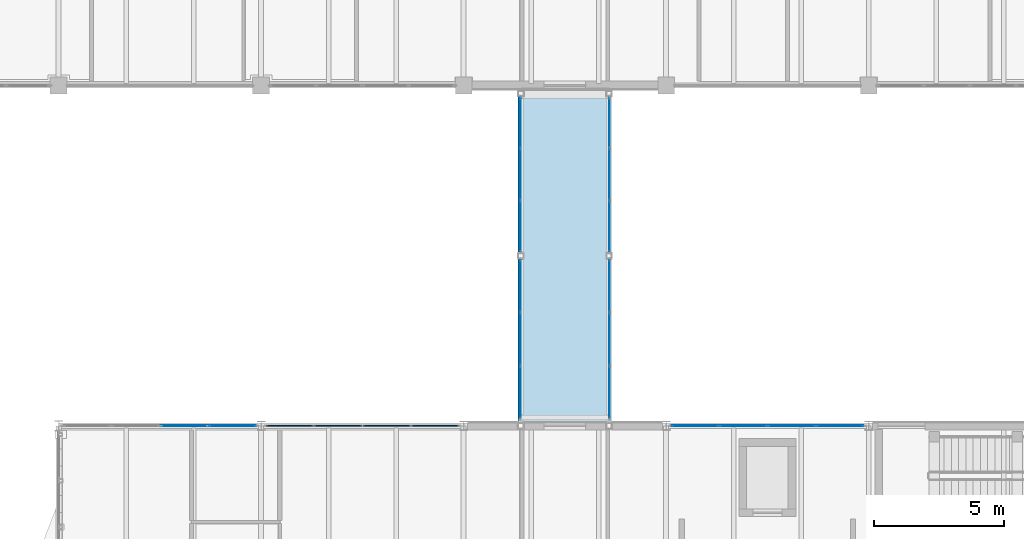
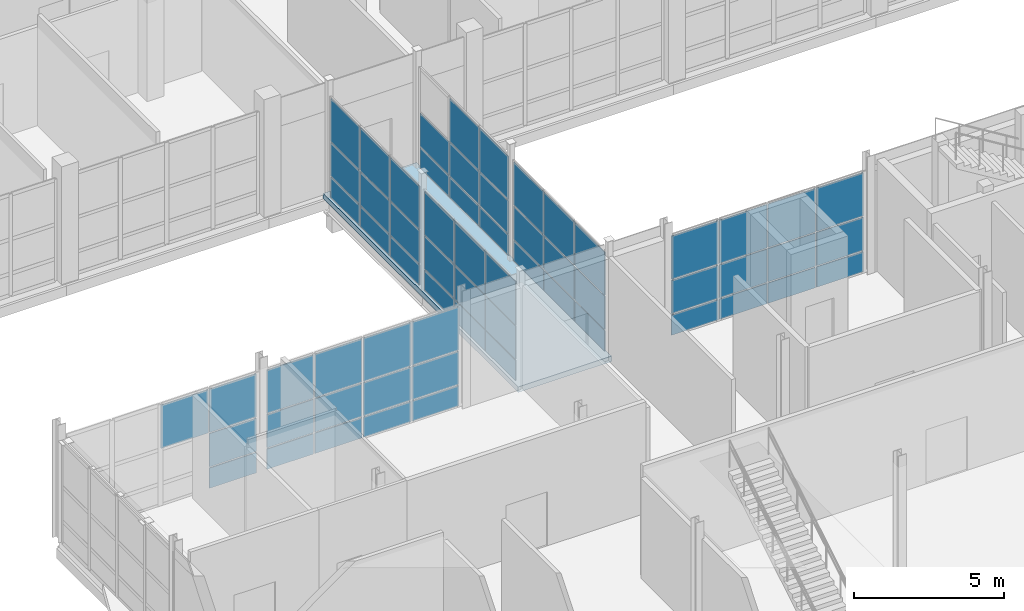
# One storey, part 82 of 131: 63 plates, 1 slab, 7 elements without a shape of their own.
"""IFC4 building model written with IfcOpenShell, lengths in metres."""

from ifc_helpers import new_model, si_unit, direction, frame, origin, origin_2d, place, context, subcontext, project, spatial, polyline, rectangle, outline, extrude, material, layer, layer_set, type_object, element, aggregate, save


model = new_model("IFC4")

# Units and contexts
model_context = context("Model", 3, precision=1e-05, world=origin(), true_north=direction((0.0, 1.0)))
body_context = subcontext(model_context, "Body", "Model", "MODEL_VIEW")
ifc_project = project(units=[si_unit("LENGTHUNIT", "METRE"), si_unit("AREAUNIT", "SQUARE_METRE"), si_unit("VOLUMEUNIT", "CUBIC_METRE"), si_unit("PLANEANGLEUNIT", "RADIAN"), si_unit("MASSUNIT", "GRAM", prefix="KILO")], contexts=[model_context])

# Site, building, storey
site_placement = place(None, origin())
site = spatial("IfcSite", under=ifc_project, at=site_placement, CompositionType="ELEMENT")
building_placement = place(site_placement, origin())
building = spatial("IfcBuilding", under=site, at=building_placement, Name="Celorna Specialist Clinic", CompositionType="ELEMENT")
storey_placement = place(building_placement, origin())
storey = spatial("IfcBuildingStorey", under=building, at=storey_placement, Name="L00", CompositionType="ELEMENT", Elevation=0.0)

# Curtain wall, plates
ifc_material_1 = material(Name="Thermally broken aluminium and solar-control glass curtain wall", Category="aluminium")
ifc_layer_1 = layer(ifc_material_1, 0.159912109375, Name="Thermally broken aluminium and solar-control glass curtain wall")
ifc_layer_set_1 = layer_set([ifc_layer_1], Name="Thermally broken aluminium and solar-control glass curtain wall")
curtain_wall_type_1 = type_object("IfcCurtainWallType", Name="CW-116", PredefinedType="NOTDEFINED", material=ifc_layer_set_1)
curtain_wall_1_placement = place(storey_placement, origin())
curtain_wall_1 = element("IfcCurtainWall", 1, at=curtain_wall_1_placement, inside=storey, type_object=curtain_wall_type_1, Name="Curtain wall CW-116 #216", PredefinedType="NOTDEFINED")
ifc_material_2 = material(Name="Low-e double glazing", Category="glass")
ifc_layer_2 = layer(ifc_material_2, 0.028076171875, Name="Low-e double glazing")
ifc_layer_set_2 = layer_set([ifc_layer_2], Name="Low-e double glazing")
plate_type_1 = type_object("IfcPlateType", Name="CPN-01", PredefinedType="CURTAIN_PANEL", material=ifc_layer_set_2)
plate_1_placement = place(storey_placement, frame((142.580078125, 84.6923828125, 0.0498046875), z_axis=(0.0, 0.0, 1.0), x_axis=(0.0, 1.0, 0.0)))
plate_1 = element("IfcPlate", 2, at=plate_1_placement, type_object=plate_type_1, Name="CW-116 panel 1.1", PredefinedType="CURTAIN_PANEL", context=body_context, shape_type="SweptSolid", body=[
    extrude(rectangle(XDim=1.985107421875, YDim=0.028076171875, at=origin_2d()), origin(), (0.0, 0.0, 1.0), 0.824951171875),
])
plate_2_placement = place(storey_placement, frame((142.580078125, 84.6923828125, 0.925048828125), z_axis=(0.0, 0.0, 1.0), x_axis=(0.0, 1.0, 0.0)))
plate_2 = element("IfcPlate", 3, at=plate_2_placement, type_object=plate_type_1, Name="CW-116 panel 1.2", PredefinedType="CURTAIN_PANEL", context=body_context, shape_type="SweptSolid", body=[
    extrude(rectangle(XDim=1.985107421875, YDim=0.028076171875, at=origin_2d()), origin(), (0.0, 0.0, 1.0), 1.35009765625),
])
plate_3_placement = place(storey_placement, frame((142.580078125, 84.6923828125, 2.324951171875), z_axis=(0.0, 0.0, 1.0), x_axis=(0.0, 1.0, 0.0)))
plate_3 = element("IfcPlate", 4, at=plate_3_placement, type_object=plate_type_1, Name="CW-116 panel 1.3", PredefinedType="CURTAIN_PANEL", context=body_context, shape_type="SweptSolid", body=[
    extrude(rectangle(XDim=1.985107421875, YDim=0.028076171875, at=origin_2d()), origin(), (0.0, 0.0, 1.0), 1.7548828125),
])
plate_4_placement = place(storey_placement, frame((142.580078125, 86.739990234375, 0.0498046875), z_axis=(0.0, 0.0, 1.0), x_axis=(0.0, 1.0, 0.0)))
plate_4 = element("IfcPlate", 5, at=plate_4_placement, type_object=plate_type_1, Name="CW-116 panel 2.1", PredefinedType="CURTAIN_PANEL", context=body_context, shape_type="SweptSolid", body=[
    extrude(rectangle(XDim=2.010009765625, YDim=0.028076171875, at=origin_2d()), origin(), (0.0, 0.0, 1.0), 0.824951171875),
])
plate_5_placement = place(storey_placement, frame((142.580078125, 86.739990234375, 0.925048828125), z_axis=(0.0, 0.0, 1.0), x_axis=(0.0, 1.0, 0.0)))
plate_5 = element("IfcPlate", 6, at=plate_5_placement, type_object=plate_type_1, Name="CW-116 panel 2.2", PredefinedType="CURTAIN_PANEL", context=body_context, shape_type="SweptSolid", body=[
    extrude(rectangle(XDim=2.010009765625, YDim=0.028076171875, at=origin_2d()), origin(), (0.0, 0.0, 1.0), 1.35009765625),
])
plate_6_placement = place(storey_placement, frame((142.580078125, 86.739990234375, 2.324951171875), z_axis=(0.0, 0.0, 1.0), x_axis=(0.0, 1.0, 0.0)))
plate_6 = element("IfcPlate", 7, at=plate_6_placement, type_object=plate_type_1, Name="CW-116 panel 2.3", PredefinedType="CURTAIN_PANEL", context=body_context, shape_type="SweptSolid", body=[
    extrude(rectangle(XDim=2.010009765625, YDim=0.028076171875, at=origin_2d()), origin(), (0.0, 0.0, 1.0), 1.7548828125),
])
plate_7_placement = place(storey_placement, frame((142.580078125, 88.78759765625, 0.0498046875), z_axis=(0.0, 0.0, 1.0), x_axis=(0.0, 1.0, 0.0)))
plate_7 = element("IfcPlate", 8, at=plate_7_placement, type_object=plate_type_1, Name="CW-116 panel 3.1", PredefinedType="CURTAIN_PANEL", context=body_context, shape_type="SweptSolid", body=[
    extrude(rectangle(XDim=1.985107421875, YDim=0.028076171875, at=origin_2d()), origin(), (0.0, 0.0, 1.0), 0.824951171875),
])
plate_8_placement = place(storey_placement, frame((142.580078125, 88.78759765625, 0.925048828125), z_axis=(0.0, 0.0, 1.0), x_axis=(0.0, 1.0, 0.0)))
plate_8 = element("IfcPlate", 9, at=plate_8_placement, type_object=plate_type_1, Name="CW-116 panel 3.2", PredefinedType="CURTAIN_PANEL", context=body_context, shape_type="SweptSolid", body=[
    extrude(rectangle(XDim=1.985107421875, YDim=0.028076171875, at=origin_2d()), origin(), (0.0, 0.0, 1.0), 1.35009765625),
])
plate_9_placement = place(storey_placement, frame((142.580078125, 88.78759765625, 2.324951171875), z_axis=(0.0, 0.0, 1.0), x_axis=(0.0, 1.0, 0.0)))
plate_9 = element("IfcPlate", 10, at=plate_9_placement, type_object=plate_type_1, Name="CW-116 panel 3.3", PredefinedType="CURTAIN_PANEL", context=body_context, shape_type="SweptSolid", body=[
    extrude(rectangle(XDim=1.985107421875, YDim=0.028076171875, at=origin_2d()), origin(), (0.0, 0.0, 1.0), 1.7548828125),
])
aggregate(curtain_wall_1, [plate_1, plate_2, plate_3, plate_4, plate_5, plate_6, plate_7, plate_8, plate_9])

ifc_layer_3 = layer(ifc_material_1, 0.159912109375, Name="Thermally broken aluminium and solar-control glass curtain wall")
ifc_layer_set_3 = layer_set([ifc_layer_3], Name="Thermally broken aluminium and solar-control glass curtain wall")
curtain_wall_type_2 = type_object("IfcCurtainWallType", Name="CW-117", PredefinedType="NOTDEFINED", material=ifc_layer_set_3)
curtain_wall_2_placement = place(storey_placement, origin())
curtain_wall_2 = element("IfcCurtainWall", 11, at=curtain_wall_2_placement, inside=storey, type_object=curtain_wall_type_2, Name="Curtain wall CW-117 #217", PredefinedType="NOTDEFINED")
plate_10_placement = place(storey_placement, frame((142.580078125, 91.084228515625, 0.0498046875), z_axis=(0.0, 0.0, 1.0), x_axis=(0.0, 1.0, 0.0)))
plate_10 = element("IfcPlate", 12, at=plate_10_placement, type_object=plate_type_1, Name="CW-117 panel 1.1", PredefinedType="CURTAIN_PANEL", context=body_context, shape_type="SweptSolid", body=[
    extrude(rectangle(XDim=1.92822265625, YDim=0.028076171875, at=origin_2d()), origin(), (0.0, 0.0, 1.0), 0.824951171875),
])
plate_11_placement = place(storey_placement, frame((142.580078125, 91.084228515625, 0.925048828125), z_axis=(0.0, 0.0, 1.0), x_axis=(0.0, 1.0, 0.0)))
plate_11 = element("IfcPlate", 13, at=plate_11_placement, type_object=plate_type_1, Name="CW-117 panel 1.2", PredefinedType="CURTAIN_PANEL", context=body_context, shape_type="SweptSolid", body=[
    extrude(rectangle(XDim=1.92822265625, YDim=0.028076171875, at=origin_2d()), origin(), (0.0, 0.0, 1.0), 1.35009765625),
])
plate_12_placement = place(storey_placement, frame((142.580078125, 91.084228515625, 2.324951171875), z_axis=(0.0, 0.0, 1.0), x_axis=(0.0, 1.0, 0.0)))
plate_12 = element("IfcPlate", 14, at=plate_12_placement, type_object=plate_type_1, Name="CW-117 panel 1.3", PredefinedType="CURTAIN_PANEL", context=body_context, shape_type="SweptSolid", body=[
    extrude(rectangle(XDim=1.92822265625, YDim=0.028076171875, at=origin_2d()), origin(), (0.0, 0.0, 1.0), 1.7548828125),
])
plate_13_placement = place(storey_placement, frame((142.580078125, 93.074951171875, 0.0498046875), z_axis=(0.0, 0.0, 1.0), x_axis=(0.0, 1.0, 0.0)))
plate_13 = element("IfcPlate", 15, at=plate_13_placement, type_object=plate_type_1, Name="CW-117 panel 2.1", PredefinedType="CURTAIN_PANEL", context=body_context, shape_type="SweptSolid", body=[
    extrude(rectangle(XDim=1.953369140625, YDim=0.028076171875, at=origin_2d()), origin(), (0.0, 0.0, 1.0), 0.824951171875),
])
plate_14_placement = place(storey_placement, frame((142.580078125, 93.074951171875, 0.925048828125), z_axis=(0.0, 0.0, 1.0), x_axis=(0.0, 1.0, 0.0)))
plate_14 = element("IfcPlate", 16, at=plate_14_placement, type_object=plate_type_1, Name="CW-117 panel 2.2", PredefinedType="CURTAIN_PANEL", context=body_context, shape_type="SweptSolid", body=[
    extrude(rectangle(XDim=1.953369140625, YDim=0.028076171875, at=origin_2d()), origin(), (0.0, 0.0, 1.0), 1.35009765625),
])
plate_15_placement = place(storey_placement, frame((142.580078125, 93.074951171875, 2.324951171875), z_axis=(0.0, 0.0, 1.0), x_axis=(0.0, 1.0, 0.0)))
plate_15 = element("IfcPlate", 17, at=plate_15_placement, type_object=plate_type_1, Name="CW-117 panel 2.3", PredefinedType="CURTAIN_PANEL", context=body_context, shape_type="SweptSolid", body=[
    extrude(rectangle(XDim=1.953369140625, YDim=0.028076171875, at=origin_2d()), origin(), (0.0, 0.0, 1.0), 1.7548828125),
])
plate_16_placement = place(storey_placement, frame((142.580078125, 95.06591796875, 0.0498046875), z_axis=(0.0, 0.0, 1.0), x_axis=(0.0, 1.0, 0.0)))
plate_16 = element("IfcPlate", 18, at=plate_16_placement, type_object=plate_type_1, Name="CW-117 panel 3.1", PredefinedType="CURTAIN_PANEL", context=body_context, shape_type="SweptSolid", body=[
    extrude(rectangle(XDim=1.92822265625, YDim=0.028076171875, at=origin_2d()), origin(), (0.0, 0.0, 1.0), 0.824951171875),
])
plate_17_placement = place(storey_placement, frame((142.580078125, 95.06591796875, 0.925048828125), z_axis=(0.0, 0.0, 1.0), x_axis=(0.0, 1.0, 0.0)))
plate_17 = element("IfcPlate", 19, at=plate_17_placement, type_object=plate_type_1, Name="CW-117 panel 3.2", PredefinedType="CURTAIN_PANEL", context=body_context, shape_type="SweptSolid", body=[
    extrude(rectangle(XDim=1.92822265625, YDim=0.028076171875, at=origin_2d()), origin(), (0.0, 0.0, 1.0), 1.35009765625),
])
plate_18_placement = place(storey_placement, frame((142.580078125, 95.06591796875, 2.324951171875), z_axis=(0.0, 0.0, 1.0), x_axis=(0.0, 1.0, 0.0)))
plate_18 = element("IfcPlate", 20, at=plate_18_placement, type_object=plate_type_1, Name="CW-117 panel 3.3", PredefinedType="CURTAIN_PANEL", context=body_context, shape_type="SweptSolid", body=[
    extrude(rectangle(XDim=1.92822265625, YDim=0.028076171875, at=origin_2d()), origin(), (0.0, 0.0, 1.0), 1.7548828125),
])
aggregate(curtain_wall_2, [plate_10, plate_11, plate_12, plate_13, plate_14, plate_15, plate_16, plate_17, plate_18])

curtain_wall_3_placement = place(storey_placement, origin())
curtain_wall_3 = element("IfcCurtainWall", 21, at=curtain_wall_3_placement, inside=storey, type_object=curtain_wall_type_2, Name="Curtain wall CW-117 #218", PredefinedType="NOTDEFINED")
plate_19_placement = place(storey_placement, frame((146.02001953125, 95.06591796875, 0.0498046875), z_axis=(0.0, 0.0, 1.0), x_axis=(0.0, -1.0, 0.0)))
plate_19 = element("IfcPlate", 22, at=plate_19_placement, type_object=plate_type_1, Name="CW-117 panel 1.1", PredefinedType="CURTAIN_PANEL", context=body_context, shape_type="SweptSolid", body=[
    extrude(rectangle(XDim=1.92822265625, YDim=0.028076171875, at=origin_2d()), origin(), (0.0, 0.0, 1.0), 0.824951171875),
])
plate_20_placement = place(storey_placement, frame((146.02001953125, 95.06591796875, 0.925048828125), z_axis=(0.0, 0.0, 1.0), x_axis=(0.0, -1.0, 0.0)))
plate_20 = element("IfcPlate", 23, at=plate_20_placement, type_object=plate_type_1, Name="CW-117 panel 1.2", PredefinedType="CURTAIN_PANEL", context=body_context, shape_type="SweptSolid", body=[
    extrude(rectangle(XDim=1.92822265625, YDim=0.028076171875, at=origin_2d()), origin(), (0.0, 0.0, 1.0), 1.35009765625),
])
plate_21_placement = place(storey_placement, frame((146.02001953125, 93.074951171875, 0.0498046875), z_axis=(0.0, 0.0, 1.0), x_axis=(0.0, -1.0, 0.0)))
plate_21 = element("IfcPlate", 24, at=plate_21_placement, type_object=plate_type_1, Name="CW-117 panel 2.1", PredefinedType="CURTAIN_PANEL", context=body_context, shape_type="SweptSolid", body=[
    extrude(rectangle(XDim=1.953369140625, YDim=0.028076171875, at=origin_2d()), origin(), (0.0, 0.0, 1.0), 0.824951171875),
])
plate_22_placement = place(storey_placement, frame((146.02001953125, 93.074951171875, 0.925048828125), z_axis=(0.0, 0.0, 1.0), x_axis=(0.0, -1.0, 0.0)))
plate_22 = element("IfcPlate", 25, at=plate_22_placement, type_object=plate_type_1, Name="CW-117 panel 2.2", PredefinedType="CURTAIN_PANEL", context=body_context, shape_type="SweptSolid", body=[
    extrude(rectangle(XDim=1.953369140625, YDim=0.028076171875, at=origin_2d()), origin(), (0.0, 0.0, 1.0), 1.35009765625),
])
plate_23_placement = place(storey_placement, frame((146.02001953125, 93.074951171875, 2.324951171875), z_axis=(0.0, 0.0, 1.0), x_axis=(0.0, -1.0, 0.0)))
plate_23 = element("IfcPlate", 26, at=plate_23_placement, type_object=plate_type_1, Name="CW-117 panel 2.3", PredefinedType="CURTAIN_PANEL", context=body_context, shape_type="SweptSolid", body=[
    extrude(rectangle(XDim=1.953369140625, YDim=0.028076171875, at=origin_2d()), origin(), (0.0, 0.0, 1.0), 1.7548828125),
])
plate_24_placement = place(storey_placement, frame((146.02001953125, 91.084228515625, 0.0498046875), z_axis=(0.0, 0.0, 1.0), x_axis=(0.0, -1.0, 0.0)))
plate_24 = element("IfcPlate", 27, at=plate_24_placement, type_object=plate_type_1, Name="CW-117 panel 3.1", PredefinedType="CURTAIN_PANEL", context=body_context, shape_type="SweptSolid", body=[
    extrude(rectangle(XDim=1.92822265625, YDim=0.028076171875, at=origin_2d()), origin(), (0.0, 0.0, 1.0), 0.824951171875),
])
plate_25_placement = place(storey_placement, frame((146.02001953125, 91.084228515625, 0.925048828125), z_axis=(0.0, 0.0, 1.0), x_axis=(0.0, -1.0, 0.0)))
plate_25 = element("IfcPlate", 28, at=plate_25_placement, type_object=plate_type_1, Name="CW-117 panel 3.2", PredefinedType="CURTAIN_PANEL", context=body_context, shape_type="SweptSolid", body=[
    extrude(rectangle(XDim=1.92822265625, YDim=0.028076171875, at=origin_2d()), origin(), (0.0, 0.0, 1.0), 1.35009765625),
])
plate_26_placement = place(storey_placement, frame((146.02001953125, 91.084228515625, 2.324951171875), z_axis=(0.0, 0.0, 1.0), x_axis=(0.0, -1.0, 0.0)))
plate_26 = element("IfcPlate", 29, at=plate_26_placement, type_object=plate_type_1, Name="CW-117 panel 3.3", PredefinedType="CURTAIN_PANEL", context=body_context, shape_type="SweptSolid", body=[
    extrude(rectangle(XDim=1.92822265625, YDim=0.028076171875, at=origin_2d()), origin(), (0.0, 0.0, 1.0), 1.7548828125),
])
aggregate(curtain_wall_3, [plate_19, plate_20, plate_21, plate_22, plate_23, plate_24, plate_25, plate_26])

curtain_wall_4_placement = place(storey_placement, origin())
curtain_wall_4 = element("IfcCurtainWall", 30, at=curtain_wall_4_placement, inside=storey, type_object=curtain_wall_type_1, Name="Curtain wall CW-116 #219", PredefinedType="NOTDEFINED")
plate_27_placement = place(storey_placement, frame((146.02001953125, 88.78759765625, 0.0498046875), z_axis=(0.0, 0.0, 1.0), x_axis=(0.0, -1.0, 0.0)))
plate_27 = element("IfcPlate", 31, at=plate_27_placement, type_object=plate_type_1, Name="CW-116 panel 1.1", PredefinedType="CURTAIN_PANEL", context=body_context, shape_type="SweptSolid", body=[
    extrude(rectangle(XDim=1.985107421875, YDim=0.028076171875, at=origin_2d()), origin(), (0.0, 0.0, 1.0), 0.824951171875),
])
plate_28_placement = place(storey_placement, frame((146.02001953125, 88.78759765625, 0.925048828125), z_axis=(0.0, 0.0, 1.0), x_axis=(0.0, -1.0, 0.0)))
plate_28 = element("IfcPlate", 32, at=plate_28_placement, type_object=plate_type_1, Name="CW-116 panel 1.2", PredefinedType="CURTAIN_PANEL", context=body_context, shape_type="SweptSolid", body=[
    extrude(rectangle(XDim=1.985107421875, YDim=0.028076171875, at=origin_2d()), origin(), (0.0, 0.0, 1.0), 1.35009765625),
])
plate_29_placement = place(storey_placement, frame((146.02001953125, 88.78759765625, 2.324951171875), z_axis=(0.0, 0.0, 1.0), x_axis=(0.0, -1.0, 0.0)))
plate_29 = element("IfcPlate", 33, at=plate_29_placement, type_object=plate_type_1, Name="CW-116 panel 1.3", PredefinedType="CURTAIN_PANEL", context=body_context, shape_type="SweptSolid", body=[
    extrude(rectangle(XDim=1.985107421875, YDim=0.028076171875, at=origin_2d()), origin(), (0.0, 0.0, 1.0), 1.7548828125),
])
plate_30_placement = place(storey_placement, frame((146.02001953125, 86.739990234375, 0.0498046875), z_axis=(0.0, 0.0, 1.0), x_axis=(0.0, -1.0, 0.0)))
plate_30 = element("IfcPlate", 34, at=plate_30_placement, type_object=plate_type_1, Name="CW-116 panel 2.1", PredefinedType="CURTAIN_PANEL", context=body_context, shape_type="SweptSolid", body=[
    extrude(rectangle(XDim=2.010009765625, YDim=0.028076171875, at=origin_2d()), origin(), (0.0, 0.0, 1.0), 0.824951171875),
])
plate_31_placement = place(storey_placement, frame((146.02001953125, 86.739990234375, 0.925048828125), z_axis=(0.0, 0.0, 1.0), x_axis=(0.0, -1.0, 0.0)))
plate_31 = element("IfcPlate", 35, at=plate_31_placement, type_object=plate_type_1, Name="CW-116 panel 2.2", PredefinedType="CURTAIN_PANEL", context=body_context, shape_type="SweptSolid", body=[
    extrude(rectangle(XDim=2.010009765625, YDim=0.028076171875, at=origin_2d()), origin(), (0.0, 0.0, 1.0), 1.35009765625),
])
plate_32_placement = place(storey_placement, frame((146.02001953125, 86.739990234375, 2.324951171875), z_axis=(0.0, 0.0, 1.0), x_axis=(0.0, -1.0, 0.0)))
plate_32 = element("IfcPlate", 36, at=plate_32_placement, type_object=plate_type_1, Name="CW-116 panel 2.3", PredefinedType="CURTAIN_PANEL", context=body_context, shape_type="SweptSolid", body=[
    extrude(rectangle(XDim=2.010009765625, YDim=0.028076171875, at=origin_2d()), origin(), (0.0, 0.0, 1.0), 1.7548828125),
])
plate_33_placement = place(storey_placement, frame((146.02001953125, 84.6923828125, 0.0498046875), z_axis=(0.0, 0.0, 1.0), x_axis=(0.0, -1.0, 0.0)))
plate_33 = element("IfcPlate", 37, at=plate_33_placement, type_object=plate_type_1, Name="CW-116 panel 3.1", PredefinedType="CURTAIN_PANEL", context=body_context, shape_type="SweptSolid", body=[
    extrude(rectangle(XDim=1.985107421875, YDim=0.028076171875, at=origin_2d()), origin(), (0.0, 0.0, 1.0), 0.824951171875),
])
plate_34_placement = place(storey_placement, frame((146.02001953125, 84.6923828125, 0.925048828125), z_axis=(0.0, 0.0, 1.0), x_axis=(0.0, -1.0, 0.0)))
plate_34 = element("IfcPlate", 38, at=plate_34_placement, type_object=plate_type_1, Name="CW-116 panel 3.2", PredefinedType="CURTAIN_PANEL", context=body_context, shape_type="SweptSolid", body=[
    extrude(rectangle(XDim=1.985107421875, YDim=0.028076171875, at=origin_2d()), origin(), (0.0, 0.0, 1.0), 1.35009765625),
])
plate_35_placement = place(storey_placement, frame((146.02001953125, 84.6923828125, 2.324951171875), z_axis=(0.0, 0.0, 1.0), x_axis=(0.0, -1.0, 0.0)))
plate_35 = element("IfcPlate", 39, at=plate_35_placement, type_object=plate_type_1, Name="CW-116 panel 3.3", PredefinedType="CURTAIN_PANEL", context=body_context, shape_type="SweptSolid", body=[
    extrude(rectangle(XDim=1.985107421875, YDim=0.028076171875, at=origin_2d()), origin(), (0.0, 0.0, 1.0), 1.7548828125),
])
aggregate(curtain_wall_4, [plate_27, plate_28, plate_29, plate_30, plate_31, plate_32, plate_33, plate_34, plate_35])

ifc_layer_4 = layer(ifc_material_1, 0.159912109375, Name="Thermally broken aluminium and solar-control glass curtain wall")
ifc_layer_set_4 = layer_set([ifc_layer_4], Name="Thermally broken aluminium and solar-control glass curtain wall")
curtain_wall_type_3 = type_object("IfcCurtainWallType", Name="CW-34", PredefinedType="NOTDEFINED", material=ifc_layer_set_4)
curtain_wall_5_placement = place(storey_placement, origin())
curtain_wall_5 = element("IfcCurtainWall", 40, at=curtain_wall_5_placement, inside=storey, type_object=curtain_wall_type_3, Name="Curtain wall CW-34 #69", PredefinedType="NOTDEFINED")
ifc_material_3 = material(Name="Solar-control triple glazing", Category="glass")
ifc_layer_5 = layer(ifc_material_3, 0.035888671875, Name="Solar-control triple glazing")
ifc_layer_set_5 = layer_set([ifc_layer_5], Name="Solar-control triple glazing")
plate_type_2 = type_object("IfcPlateType", Name="CPN-02", PredefinedType="CURTAIN_PANEL", material=ifc_layer_set_5)
plate_36_placement = place(storey_placement, frame((129.636474609375, 83.39990234375, 2.3251953125), z_axis=(0.0, 0.0, 1.0), x_axis=(1.0, 0.0, 0.0)))
plate_36 = element("IfcPlate", 41, at=plate_36_placement, type_object=plate_type_2, Name="CW-34 panel 3.3", PredefinedType="CURTAIN_PANEL", context=body_context, shape_type="SweptSolid", body=[
    extrude(rectangle(XDim=1.822998046875, YDim=0.035888671875, at=origin_2d()), origin(), (0.0, 0.0, 1.0), 1.764892578125),
])
plate_37_placement = place(storey_placement, frame((131.4970703125, 83.39990234375, 0.0498046875), z_axis=(0.0, 0.0, 1.0), x_axis=(1.0, 0.0, 0.0)))
plate_37 = element("IfcPlate", 42, at=plate_37_placement, type_object=plate_type_2, Name="CW-34 panel 4.1", PredefinedType="CURTAIN_PANEL", context=body_context, shape_type="SweptSolid", body=[
    extrude(rectangle(XDim=1.798095703125, YDim=0.035888671875, at=origin_2d()), origin(), (0.0, 0.0, 1.0), 0.824951171875),
])
plate_38_placement = place(storey_placement, frame((131.4970703125, 83.39990234375, 0.925048828125), z_axis=(0.0, 0.0, 1.0), x_axis=(1.0, 0.0, 0.0)))
plate_38 = element("IfcPlate", 43, at=plate_38_placement, type_object=plate_type_2, Name="CW-34 panel 4.2", PredefinedType="CURTAIN_PANEL", context=body_context, shape_type="SweptSolid", body=[
    extrude(rectangle(XDim=1.798095703125, YDim=0.035888671875, at=origin_2d()), origin(), (0.0, 0.0, 1.0), 1.35009765625),
])
plate_39_placement = place(storey_placement, frame((131.4970703125, 83.39990234375, 2.3251953125), z_axis=(0.0, 0.0, 1.0), x_axis=(1.0, 0.0, 0.0)))
plate_39 = element("IfcPlate", 44, at=plate_39_placement, type_object=plate_type_2, Name="CW-34 panel 4.3", PredefinedType="CURTAIN_PANEL", context=body_context, shape_type="SweptSolid", body=[
    extrude(rectangle(XDim=1.798095703125, YDim=0.035888671875, at=origin_2d()), origin(), (0.0, 0.0, 1.0), 1.764892578125),
])
aggregate(curtain_wall_5, [plate_36, plate_37, plate_38, plate_39])

curtain_wall_6_placement = place(storey_placement, origin())
curtain_wall_6 = element("IfcCurtainWall", 45, at=curtain_wall_6_placement, inside=storey, type_object=curtain_wall_type_3, Name="Curtain wall CW-34 #71", PredefinedType="NOTDEFINED")
plate_40_placement = place(storey_placement, frame((149.302978515625, 83.39990234375, 0.0498046875), z_axis=(0.0, 0.0, 1.0), x_axis=(1.0, 0.0, 0.0)))
plate_40 = element("IfcPlate", 46, at=plate_40_placement, type_object=plate_type_2, Name="CW-34 panel 1.1", PredefinedType="CURTAIN_PANEL", context=body_context, shape_type="SweptSolid", body=[
    extrude(rectangle(XDim=1.798095703125, YDim=0.035888671875, at=origin_2d()), origin(), (0.0, 0.0, 1.0), 0.824951171875),
])
plate_41_placement = place(storey_placement, frame((149.302978515625, 83.39990234375, 0.925048828125), z_axis=(0.0, 0.0, 1.0), x_axis=(1.0, 0.0, 0.0)))
plate_41 = element("IfcPlate", 47, at=plate_41_placement, type_object=plate_type_2, Name="CW-34 panel 1.2", PredefinedType="CURTAIN_PANEL", context=body_context, shape_type="SweptSolid", body=[
    extrude(rectangle(XDim=1.798095703125, YDim=0.035888671875, at=origin_2d()), origin(), (0.0, 0.0, 1.0), 1.35009765625),
])
plate_42_placement = place(storey_placement, frame((149.302978515625, 83.39990234375, 2.3251953125), z_axis=(0.0, 0.0, 1.0), x_axis=(1.0, 0.0, 0.0)))
plate_42 = element("IfcPlate", 48, at=plate_42_placement, type_object=plate_type_2, Name="CW-34 panel 1.3", PredefinedType="CURTAIN_PANEL", context=body_context, shape_type="SweptSolid", body=[
    extrude(rectangle(XDim=1.798095703125, YDim=0.035888671875, at=origin_2d()), origin(), (0.0, 0.0, 1.0), 1.764892578125),
])
plate_43_placement = place(storey_placement, frame((151.16357421875, 83.39990234375, 0.0498046875), z_axis=(0.0, 0.0, 1.0), x_axis=(1.0, 0.0, 0.0)))
plate_43 = element("IfcPlate", 49, at=plate_43_placement, type_object=plate_type_2, Name="CW-34 panel 2.1", PredefinedType="CURTAIN_PANEL", context=body_context, shape_type="SweptSolid", body=[
    extrude(rectangle(XDim=1.822998046875, YDim=0.035888671875, at=origin_2d()), origin(), (0.0, 0.0, 1.0), 0.824951171875),
])
plate_44_placement = place(storey_placement, frame((151.16357421875, 83.39990234375, 0.925048828125), z_axis=(0.0, 0.0, 1.0), x_axis=(1.0, 0.0, 0.0)))
plate_44 = element("IfcPlate", 50, at=plate_44_placement, type_object=plate_type_2, Name="CW-34 panel 2.2", PredefinedType="CURTAIN_PANEL", context=body_context, shape_type="SweptSolid", body=[
    extrude(rectangle(XDim=1.822998046875, YDim=0.035888671875, at=origin_2d()), origin(), (0.0, 0.0, 1.0), 1.35009765625),
])
plate_45_placement = place(storey_placement, frame((151.16357421875, 83.39990234375, 2.3251953125), z_axis=(0.0, 0.0, 1.0), x_axis=(1.0, 0.0, 0.0)))
plate_45 = element("IfcPlate", 51, at=plate_45_placement, type_object=plate_type_2, Name="CW-34 panel 2.3", PredefinedType="CURTAIN_PANEL", context=body_context, shape_type="SweptSolid", body=[
    extrude(rectangle(XDim=1.822998046875, YDim=0.035888671875, at=origin_2d()), origin(), (0.0, 0.0, 1.0), 1.764892578125),
])
plate_46_placement = place(storey_placement, frame((153.03662109375, 83.39990234375, 0.0498046875), z_axis=(0.0, 0.0, 1.0), x_axis=(1.0, 0.0, 0.0)))
plate_46 = element("IfcPlate", 52, at=plate_46_placement, type_object=plate_type_2, Name="CW-34 panel 3.1", PredefinedType="CURTAIN_PANEL", context=body_context, shape_type="SweptSolid", body=[
    extrude(rectangle(XDim=1.822998046875, YDim=0.035888671875, at=origin_2d()), origin(), (0.0, 0.0, 1.0), 0.824951171875),
])
plate_47_placement = place(storey_placement, frame((153.03662109375, 83.39990234375, 0.925048828125), z_axis=(0.0, 0.0, 1.0), x_axis=(1.0, 0.0, 0.0)))
plate_47 = element("IfcPlate", 53, at=plate_47_placement, type_object=plate_type_2, Name="CW-34 panel 3.2", PredefinedType="CURTAIN_PANEL", context=body_context, shape_type="SweptSolid", body=[
    extrude(rectangle(XDim=1.822998046875, YDim=0.035888671875, at=origin_2d()), origin(), (0.0, 0.0, 1.0), 1.35009765625),
])
plate_48_placement = place(storey_placement, frame((153.03662109375, 83.39990234375, 2.3251953125), z_axis=(0.0, 0.0, 1.0), x_axis=(1.0, 0.0, 0.0)))
plate_48 = element("IfcPlate", 54, at=plate_48_placement, type_object=plate_type_2, Name="CW-34 panel 3.3", PredefinedType="CURTAIN_PANEL", context=body_context, shape_type="SweptSolid", body=[
    extrude(rectangle(XDim=1.822998046875, YDim=0.035888671875, at=origin_2d()), origin(), (0.0, 0.0, 1.0), 1.764892578125),
])
plate_49_placement = place(storey_placement, frame((154.89697265625, 83.39990234375, 0.0498046875), z_axis=(0.0, 0.0, 1.0), x_axis=(1.0, 0.0, 0.0)))
plate_49 = element("IfcPlate", 55, at=plate_49_placement, type_object=plate_type_2, Name="CW-34 panel 4.1", PredefinedType="CURTAIN_PANEL", context=body_context, shape_type="SweptSolid", body=[
    extrude(rectangle(XDim=1.798095703125, YDim=0.035888671875, at=origin_2d()), origin(), (0.0, 0.0, 1.0), 0.824951171875),
])
plate_50_placement = place(storey_placement, frame((154.89697265625, 83.39990234375, 0.925048828125), z_axis=(0.0, 0.0, 1.0), x_axis=(1.0, 0.0, 0.0)))
plate_50 = element("IfcPlate", 56, at=plate_50_placement, type_object=plate_type_2, Name="CW-34 panel 4.2", PredefinedType="CURTAIN_PANEL", context=body_context, shape_type="SweptSolid", body=[
    extrude(rectangle(XDim=1.798095703125, YDim=0.035888671875, at=origin_2d()), origin(), (0.0, 0.0, 1.0), 1.35009765625),
])
plate_51_placement = place(storey_placement, frame((154.89697265625, 83.39990234375, 2.3251953125), z_axis=(0.0, 0.0, 1.0), x_axis=(1.0, 0.0, 0.0)))
plate_51 = element("IfcPlate", 57, at=plate_51_placement, type_object=plate_type_2, Name="CW-34 panel 4.3", PredefinedType="CURTAIN_PANEL", context=body_context, shape_type="SweptSolid", body=[
    extrude(rectangle(XDim=1.798095703125, YDim=0.035888671875, at=origin_2d()), origin(), (0.0, 0.0, 1.0), 1.764892578125),
])
aggregate(curtain_wall_6, [plate_40, plate_41, plate_42, plate_43, plate_44, plate_45, plate_46, plate_47, plate_48, plate_49, plate_50, plate_51])

ifc_layer_6 = layer(ifc_material_1, 0.159912109375, Name="Thermally broken aluminium and solar-control glass curtain wall")
ifc_layer_set_6 = layer_set([ifc_layer_6], Name="Thermally broken aluminium and solar-control glass curtain wall")
curtain_wall_type_4 = type_object("IfcCurtainWallType", Name="CW-36", PredefinedType="NOTDEFINED", material=ifc_layer_set_6)
curtain_wall_7_placement = place(storey_placement, origin())
curtain_wall_7 = element("IfcCurtainWall", 58, at=curtain_wall_7_placement, inside=storey, type_object=curtain_wall_type_4, Name="Curtain wall CW-36 #70", PredefinedType="NOTDEFINED")
ifc_material_4 = material(Name="Glazed polychrome ceramic insulated spandrel")
ifc_layer_7 = layer(ifc_material_4, 0.0439453125, Name="Glazed polychrome ceramic insulated spandrel")
ifc_layer_set_7 = layer_set([ifc_layer_7], Name="Glazed polychrome ceramic insulated spandrel")
plate_type_3 = type_object("IfcPlateType", Name="CPN-03", PredefinedType="CURTAIN_PANEL", material=ifc_layer_set_7)
plate_52_placement = place(storey_placement, frame((133.702880859375, 83.39990234375, 0.0498046875), z_axis=(0.0, 0.0, 1.0), x_axis=(1.0, 0.0, 0.0)))
plate_52 = element("IfcPlate", 59, at=plate_52_placement, type_object=plate_type_3, Name="CW-36 panel 1.1", PredefinedType="CURTAIN_PANEL", context=body_context, shape_type="SweptSolid", body=[
    extrude(rectangle(XDim=1.798095703125, YDim=0.0439453125, at=origin_2d()), origin(), (0.0, 0.0, 1.0), 0.824951171875),
])
plate_53_placement = place(storey_placement, frame((133.702880859375, 83.39990234375, 0.925048828125), z_axis=(0.0, 0.0, 1.0), x_axis=(1.0, 0.0, 0.0)))
plate_53 = element("IfcPlate", 60, at=plate_53_placement, type_object=plate_type_3, Name="CW-36 panel 1.2", PredefinedType="CURTAIN_PANEL", context=body_context, shape_type="SweptSolid", body=[
    extrude(rectangle(XDim=1.798095703125, YDim=0.0439453125, at=origin_2d()), origin(), (0.0, 0.0, 1.0), 1.35009765625),
])
plate_54_placement = place(storey_placement, frame((133.702880859375, 83.39990234375, 2.3251953125), z_axis=(0.0, 0.0, 1.0), x_axis=(1.0, 0.0, 0.0)))
plate_54 = element("IfcPlate", 61, at=plate_54_placement, type_object=plate_type_3, Name="CW-36 panel 1.3", PredefinedType="CURTAIN_PANEL", context=body_context, shape_type="SweptSolid", body=[
    extrude(rectangle(XDim=1.798095703125, YDim=0.0439453125, at=origin_2d()), origin(), (0.0, 0.0, 1.0), 1.764892578125),
])
plate_55_placement = place(storey_placement, frame((135.5634765625, 83.39990234375, 0.0498046875), z_axis=(0.0, 0.0, 1.0), x_axis=(1.0, 0.0, 0.0)))
plate_55 = element("IfcPlate", 62, at=plate_55_placement, type_object=plate_type_3, Name="CW-36 panel 2.1", PredefinedType="CURTAIN_PANEL", context=body_context, shape_type="SweptSolid", body=[
    extrude(rectangle(XDim=1.822998046875, YDim=0.0439453125, at=origin_2d()), origin(), (0.0, 0.0, 1.0), 0.824951171875),
])
plate_56_placement = place(storey_placement, frame((135.5634765625, 83.39990234375, 0.925048828125), z_axis=(0.0, 0.0, 1.0), x_axis=(1.0, 0.0, 0.0)))
plate_56 = element("IfcPlate", 63, at=plate_56_placement, type_object=plate_type_3, Name="CW-36 panel 2.2", PredefinedType="CURTAIN_PANEL", context=body_context, shape_type="SweptSolid", body=[
    extrude(rectangle(XDim=1.822998046875, YDim=0.0439453125, at=origin_2d()), origin(), (0.0, 0.0, 1.0), 1.35009765625),
])
plate_57_placement = place(storey_placement, frame((135.5634765625, 83.39990234375, 2.3251953125), z_axis=(0.0, 0.0, 1.0), x_axis=(1.0, 0.0, 0.0)))
plate_57 = element("IfcPlate", 64, at=plate_57_placement, type_object=plate_type_3, Name="CW-36 panel 2.3", PredefinedType="CURTAIN_PANEL", context=body_context, shape_type="SweptSolid", body=[
    extrude(rectangle(XDim=1.822998046875, YDim=0.0439453125, at=origin_2d()), origin(), (0.0, 0.0, 1.0), 1.764892578125),
])
plate_58_placement = place(storey_placement, frame((137.4365234375, 83.39990234375, 0.0498046875), z_axis=(0.0, 0.0, 1.0), x_axis=(1.0, 0.0, 0.0)))
plate_58 = element("IfcPlate", 65, at=plate_58_placement, type_object=plate_type_3, Name="CW-36 panel 3.1", PredefinedType="CURTAIN_PANEL", context=body_context, shape_type="SweptSolid", body=[
    extrude(rectangle(XDim=1.822998046875, YDim=0.0439453125, at=origin_2d()), origin(), (0.0, 0.0, 1.0), 0.824951171875),
])
plate_59_placement = place(storey_placement, frame((137.4365234375, 83.39990234375, 0.925048828125), z_axis=(0.0, 0.0, 1.0), x_axis=(1.0, 0.0, 0.0)))
plate_59 = element("IfcPlate", 66, at=plate_59_placement, type_object=plate_type_3, Name="CW-36 panel 3.2", PredefinedType="CURTAIN_PANEL", context=body_context, shape_type="SweptSolid", body=[
    extrude(rectangle(XDim=1.822998046875, YDim=0.0439453125, at=origin_2d()), origin(), (0.0, 0.0, 1.0), 1.35009765625),
])
plate_60_placement = place(storey_placement, frame((137.4365234375, 83.39990234375, 2.3251953125), z_axis=(0.0, 0.0, 1.0), x_axis=(1.0, 0.0, 0.0)))
plate_60 = element("IfcPlate", 67, at=plate_60_placement, type_object=plate_type_3, Name="CW-36 panel 3.3", PredefinedType="CURTAIN_PANEL", context=body_context, shape_type="SweptSolid", body=[
    extrude(rectangle(XDim=1.822998046875, YDim=0.0439453125, at=origin_2d()), origin(), (0.0, 0.0, 1.0), 1.764892578125),
])
plate_61_placement = place(storey_placement, frame((139.297119140625, 83.39990234375, 0.0498046875), z_axis=(0.0, 0.0, 1.0), x_axis=(1.0, 0.0, 0.0)))
plate_61 = element("IfcPlate", 68, at=plate_61_placement, type_object=plate_type_3, Name="CW-36 panel 4.1", PredefinedType="CURTAIN_PANEL", context=body_context, shape_type="SweptSolid", body=[
    extrude(rectangle(XDim=1.798095703125, YDim=0.0439453125, at=origin_2d()), origin(), (0.0, 0.0, 1.0), 0.824951171875),
])
plate_62_placement = place(storey_placement, frame((139.297119140625, 83.39990234375, 0.925048828125), z_axis=(0.0, 0.0, 1.0), x_axis=(1.0, 0.0, 0.0)))
plate_62 = element("IfcPlate", 69, at=plate_62_placement, type_object=plate_type_3, Name="CW-36 panel 4.2", PredefinedType="CURTAIN_PANEL", context=body_context, shape_type="SweptSolid", body=[
    extrude(rectangle(XDim=1.798095703125, YDim=0.0439453125, at=origin_2d()), origin(), (0.0, 0.0, 1.0), 1.35009765625),
])
plate_63_placement = place(storey_placement, frame((139.297119140625, 83.39990234375, 2.3251953125), z_axis=(0.0, 0.0, 1.0), x_axis=(1.0, 0.0, 0.0)))
plate_63 = element("IfcPlate", 70, at=plate_63_placement, type_object=plate_type_3, Name="CW-36 panel 4.3", PredefinedType="CURTAIN_PANEL", context=body_context, shape_type="SweptSolid", body=[
    extrude(rectangle(XDim=1.798095703125, YDim=0.0439453125, at=origin_2d()), origin(), (0.0, 0.0, 1.0), 1.764892578125),
])
aggregate(curtain_wall_7, [plate_52, plate_53, plate_54, plate_55, plate_56, plate_57, plate_58, plate_59, plate_60, plate_61, plate_62, plate_63])

# Slab
ifc_material_5 = material(Name="Concrete C35/45", Category="concrete")
ifc_layer_8 = layer(ifc_material_5, 0.219970703125, Name="Concrete C35/45")
ifc_layer_set_8 = layer_set([ifc_layer_8], Name="Concrete C35/45")
slab_type = type_object("IfcSlabType", Name="SL-10", PredefinedType="FLOOR", material=ifc_layer_set_8)
slab_placement = place(storey_placement, frame((0.0, 0.0, -0.219970703125)))
element("IfcSlab", 71, at=slab_placement, inside=storey, type_object=slab_type, Name="Cloister bridge BR-05 L00 deck", PredefinedType="FLOOR", context=body_context, shape_type="SweptSolid", body=[
    extrude(outline(polyline([(142.5, 83.39990234375), (146.10009765625, 83.39990234375), (146.10009765625, 96.419921875), (142.5, 96.419921875), (142.5, 83.39990234375)])), origin(), (0.0, 0.0, 1.0), 0.219970703125),
])

save(model, "model.ifc")
